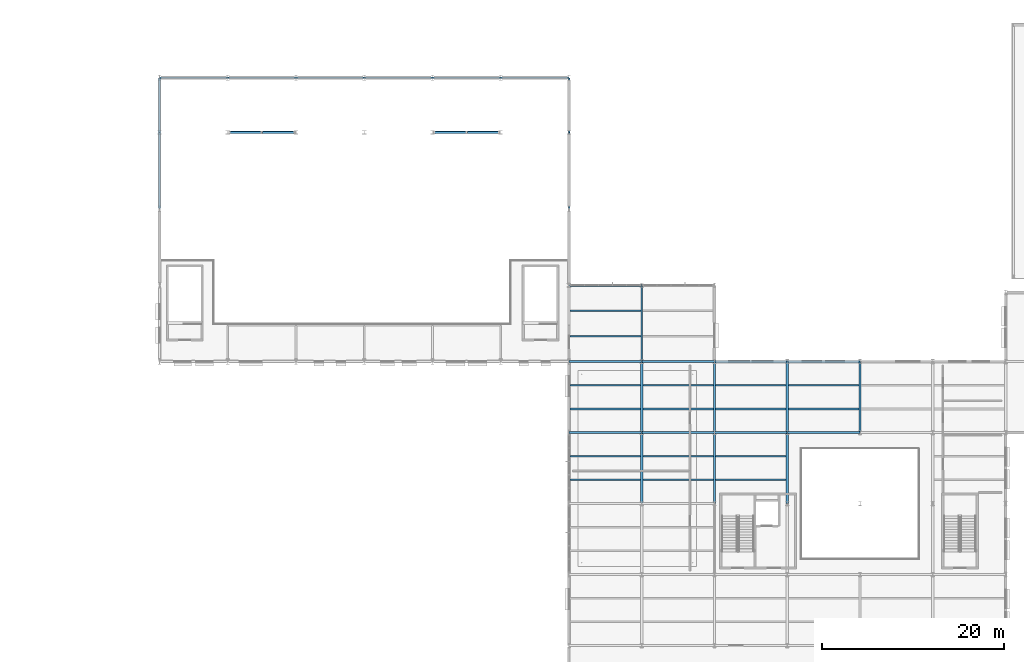
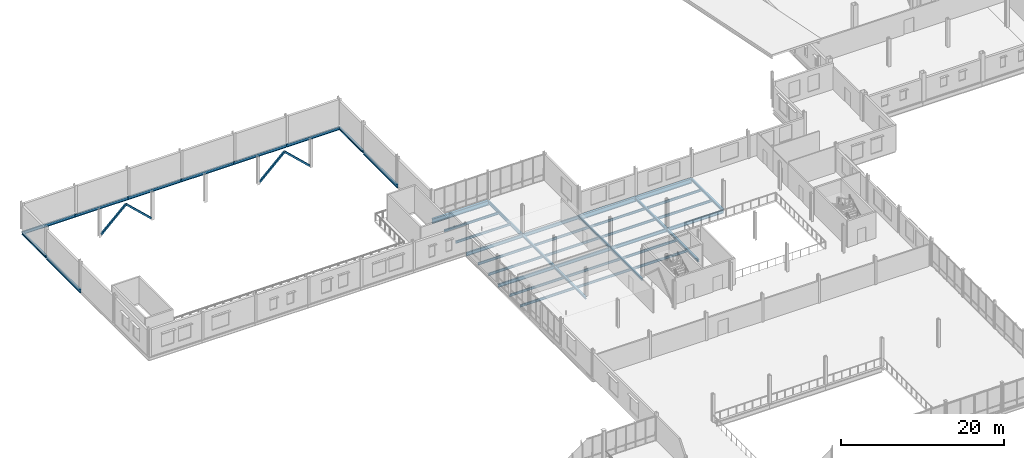
# One storey, part 35 of 75: 43 beams, 4 members.
"""IFC4 building model written with IfcOpenShell, lengths in metres."""

from ifc_helpers import new_model, si_unit, direction, frame, origin, origin_2d, place, context, subcontext, project, spatial, hollow_rectangle, i_section, extrude, material, material_profile, profile_set, type_object, element, save


model = new_model("IFC4")

# Units and contexts
model_context = context("Model", 3, precision=1e-05, world=origin(), true_north=direction((0.0, 1.0)))
body_context = subcontext(model_context, "Body", "Model", "MODEL_VIEW")
ifc_project = project(units=[si_unit("LENGTHUNIT", "METRE"), si_unit("AREAUNIT", "SQUARE_METRE"), si_unit("VOLUMEUNIT", "CUBIC_METRE"), si_unit("PLANEANGLEUNIT", "RADIAN"), si_unit("MASSUNIT", "GRAM", prefix="KILO")], contexts=[model_context])

# Site, building, storey
site_placement = place(None, origin())
site = spatial("IfcSite", under=ifc_project, at=site_placement, CompositionType="ELEMENT")
building_placement = place(site_placement, origin())
building = spatial("IfcBuilding", under=site, at=building_placement, Name="Yukiwa Park Conservatory and Herbarium", CompositionType="ELEMENT")
storey_placement = place(building_placement, frame((0.0, 0.0, 4.800048828125)))
storey = spatial("IfcBuildingStorey", under=building, at=storey_placement, Name="L01", CompositionType="ELEMENT", Elevation=4.800048828125)

# Beams
ifc_material_1 = material(Name="Steel Q355D", Category="steel")
ifc_material_profile_1 = material_profile(ifc_material_1, i_section(OverallWidth=0.25, OverallDepth=0.340087890625, WebThickness=0.009033203125, FlangeThickness=0.013916015625, FilletRadius=0.02001953125, at=origin_2d()), Name="HM 340x250x9x14")
ifc_profile_set_1 = profile_set([ifc_material_profile_1], Name="Steel Q355D")
beam_type_1 = type_object("IfcBeamType", Name="BM-GRD-HM340", PredefinedType="BEAM", material=ifc_profile_set_1)
for number, where, z_axis, x_axis, name in (
    (1, (15.0, 103.2060546875, -0.41015625), (0.0, 1.0, 0.0), (-1.0, 0.0, 0.0), "L01 grid girder Y-110"),
    (2, (60.0, 103.2060546875, -0.41015625), (0.0, 1.0, 0.0), (-1.0, 0.0, 0.0), "L01 grid girder Y-126"),
):
    element("IfcBeam", number, at=place(storey_placement, frame(where, z_axis=z_axis, x_axis=x_axis)), inside=storey, type_object=beam_type_1, Name=name, PredefinedType="BEAM", context=body_context, shape_type="SweptSolid", body=[
        extrude(i_section(OverallWidth=0.25, OverallDepth=0.340087890625, WebThickness=0.009033203125, FlangeThickness=0.013916015625, FilletRadius=0.02001953125, at=origin_2d()), origin(), (0.0, 0.0, 1.0), 5.988037109375),
    ])
beam_1_placement = place(storey_placement, frame((68.0, 62.406005859375, -0.41015625), z_axis=(0.0, 1.0, 0.0), x_axis=(-1.0, 0.0, 0.0)))
element("IfcBeam", 3, at=beam_1_placement, inside=storey, type_object=beam_type_1, Name="L01 grid girder Y-129", PredefinedType="BEAM", context=body_context, shape_type="SweptSolid", body=[
    extrude(i_section(OverallWidth=0.25, OverallDepth=0.340087890625, WebThickness=0.009033203125, FlangeThickness=0.013916015625, FilletRadius=0.02001953125, at=origin_2d()), origin(), (0.0, 0.0, 1.0), 7.7880859375),
])
beam_2_placement = place(storey_placement, frame((68.0, 70.2060546875, -0.41015625), z_axis=(0.0, 1.0, 0.0), x_axis=(-1.0, 0.0, 0.0)))
element("IfcBeam", 4, at=beam_2_placement, inside=storey, type_object=beam_type_1, Name="L01 grid girder Y-130", PredefinedType="BEAM", context=body_context, shape_type="SweptSolid", body=[
    extrude(i_section(OverallWidth=0.25, OverallDepth=0.340087890625, WebThickness=0.009033203125, FlangeThickness=0.013916015625, FilletRadius=0.02001953125, at=origin_2d()), origin(), (0.0, 0.0, 1.0), 7.787841796875),
])
beam_3_placement = place(storey_placement, frame((76.0, 62.406005859375, -0.41015625), z_axis=(0.0, 1.0, 0.0), x_axis=(-1.0, 0.0, 0.0)))
element("IfcBeam", 5, at=beam_3_placement, inside=storey, type_object=beam_type_1, Name="L01 grid girder Y-134", PredefinedType="BEAM", context=body_context, shape_type="SweptSolid", body=[
    extrude(i_section(OverallWidth=0.25, OverallDepth=0.340087890625, WebThickness=0.009033203125, FlangeThickness=0.013916015625, FilletRadius=0.02001953125, at=origin_2d()), origin(), (0.0, 0.0, 1.0), 7.7880859375),
])
beam_4_placement = place(storey_placement, frame((76.0, 70.2060546875, -0.41015625), z_axis=(0.0, 1.0, 0.0), x_axis=(-1.0, 0.0, 0.0)))
element("IfcBeam", 6, at=beam_4_placement, inside=storey, type_object=beam_type_1, Name="L01 grid girder Y-135", PredefinedType="BEAM", context=body_context, shape_type="SweptSolid", body=[
    extrude(i_section(OverallWidth=0.25, OverallDepth=0.340087890625, WebThickness=0.009033203125, FlangeThickness=0.013916015625, FilletRadius=0.02001953125, at=origin_2d()), origin(), (0.0, 0.0, 1.0), 7.787841796875),
])
beam_5_placement = place(storey_placement, frame((84.0, 62.406005859375, -0.41015625), z_axis=(0.0, 1.0, 0.0), x_axis=(-1.0, 0.0, 0.0)))
element("IfcBeam", 7, at=beam_5_placement, inside=storey, type_object=beam_type_1, Name="L01 grid girder Y-139", PredefinedType="BEAM", context=body_context, shape_type="SweptSolid", body=[
    extrude(i_section(OverallWidth=0.25, OverallDepth=0.340087890625, WebThickness=0.009033203125, FlangeThickness=0.013916015625, FilletRadius=0.02001953125, at=origin_2d()), origin(), (0.0, 0.0, 1.0), 7.7880859375),
])
for number, where, z_axis, x_axis, name in (
    (8, (84.0, 70.2060546875, -0.41015625), (0.0, 1.0, 0.0), (-1.0, 0.0, 0.0), "L01 grid girder Y-140"),
    (9, (92.0, 70.2060546875, -0.41015625), (0.0, 1.0, 0.0), (-1.0, 0.0, 0.0), "L01 grid girder Y-142"),
):
    element("IfcBeam", number, at=place(storey_placement, frame(where, z_axis=z_axis, x_axis=x_axis)), inside=storey, type_object=beam_type_1, Name=name, PredefinedType="BEAM", context=body_context, shape_type="SweptSolid", body=[
        extrude(i_section(OverallWidth=0.25, OverallDepth=0.340087890625, WebThickness=0.009033203125, FlangeThickness=0.013916015625, FilletRadius=0.02001953125, at=origin_2d()), origin(), (0.0, 0.0, 1.0), 7.787841796875),
    ])
ifc_material_2 = material(Name="Steel Q355D", Category="steel")
ifc_material_profile_2 = material_profile(ifc_material_2, i_section(OverallWidth=0.199951171875, OverallDepth=0.449951171875, WebThickness=0.009033203125, FlangeThickness=0.013916015625, FilletRadius=0.01806640625, at=origin_2d()), Name="HN 450x200x9x14")
ifc_profile_set_2 = profile_set([ifc_material_profile_2], Name="Steel Q355D")
beam_type_2 = type_object("IfcBeamType", Name="BM-GRD-HN450", PredefinedType="BEAM", material=ifc_profile_set_2)
for number, where, z_axis, x_axis, name in (
    (10, (15.006103515625, 109.199951171875, -0.465087890625), (1.0, 0.0, 0.0), (0.0, 1.0, 0.0), "L01 grid beam X-91"),
    (11, (22.506103515625, 109.199951171875, -0.465087890625), (1.0, 0.0, 0.0), (0.0, 1.0, 0.0), "L01 grid beam X-92"),
    (12, (30.006103515625, 109.199951171875, -0.465087890625), (1.0, 0.0, 0.0), (0.0, 1.0, 0.0), "L01 grid beam X-93"),
    (13, (37.506103515625, 109.199951171875, -0.465087890625), (1.0, 0.0, 0.0), (0.0, 1.0, 0.0), "L01 grid beam X-94"),
    (14, (45.006103515625, 109.199951171875, -0.465087890625), (1.0, 0.0, 0.0), (0.0, 1.0, 0.0), "L01 grid beam X-95"),
    (15, (52.506103515625, 109.199951171875, -0.465087890625), (1.0, 0.0, 0.0), (0.0, 1.0, 0.0), "L01 grid beam X-96"),
):
    element("IfcBeam", number, at=place(storey_placement, frame(where, z_axis=z_axis, x_axis=x_axis)), inside=storey, type_object=beam_type_2, Name=name, PredefinedType="BEAM", context=body_context, shape_type="SweptSolid", body=[
        extrude(i_section(OverallWidth=0.199951171875, OverallDepth=0.449951171875, WebThickness=0.009033203125, FlangeThickness=0.013916015625, FilletRadius=0.01806640625, at=origin_2d()), origin(), (0.0, 0.0, 1.0), 7.48779296875),
    ])
ifc_material_3 = material(Name="Steel Q355D", Category="steel")
ifc_material_profile_3 = material_profile(ifc_material_3, i_section(OverallWidth=0.199951171875, OverallDepth=0.5, WebThickness=0.010009765625, FlangeThickness=0.01611328125, FilletRadius=0.02001953125, at=origin_2d()), Name="HN 500x200x10x16")
ifc_profile_set_3 = profile_set([ifc_material_profile_3], Name="Steel Q355D")
beam_type_3 = type_object("IfcBeamType", Name="BM-GRD-HN500", PredefinedType="BEAM", material=ifc_profile_set_3)
for number, where, z_axis, x_axis, name in (
    (16, (60.006103515625, 70.199951171875, -0.489990234375), (1.0, 0.0, 0.0), (0.0, 1.0, 0.0), "L01 grid beam X-46"),
    (17, (68.006103515625, 70.199951171875, -0.489990234375), (1.0, 0.0, 0.0), (0.0, 1.0, 0.0), "L01 grid beam X-47"),
    (18, (76.006103515625, 70.199951171875, -0.489990234375), (1.0, 0.0, 0.0), (0.0, 1.0, 0.0), "L01 grid beam X-48"),
    (19, (84.006103515625, 70.199951171875, -0.489990234375), (1.0, 0.0, 0.0), (0.0, 1.0, 0.0), "L01 grid beam X-49"),
    (20, (60.006103515625, 78.0, -0.489990234375), (1.0, 0.0, 0.0), (0.0, 1.0, 0.0), "L01 grid beam X-58"),
    (21, (68.006103515625, 78.0, -0.489990234375), (1.0, 0.0, 0.0), (0.0, 1.0, 0.0), "L01 grid beam X-59"),
):
    element("IfcBeam", number, at=place(storey_placement, frame(where, z_axis=z_axis, x_axis=x_axis)), inside=storey, type_object=beam_type_3, Name=name, PredefinedType="BEAM", context=body_context, shape_type="SweptSolid", body=[
        extrude(i_section(OverallWidth=0.199951171875, OverallDepth=0.5, WebThickness=0.010009765625, FlangeThickness=0.01611328125, FilletRadius=0.02001953125, at=origin_2d()), origin(), (0.0, 0.0, 1.0), 7.98779296875),
    ])
for number, where, z_axis, x_axis, name in (
    (22, (15.0, 94.805908203125, -0.489990234375), (0.0, 1.0, 0.0), (-1.0, 0.0, 0.0), "L01 grid girder Y-109"),
    (23, (60.0, 94.805908203125, -0.489990234375), (0.0, 1.0, 0.0), (-1.0, 0.0, 0.0), "L01 grid girder Y-125"),
):
    element("IfcBeam", number, at=place(storey_placement, frame(where, z_axis=z_axis, x_axis=x_axis)), inside=storey, type_object=beam_type_3, Name=name, PredefinedType="BEAM", context=body_context, shape_type="SweptSolid", body=[
        extrude(i_section(OverallWidth=0.199951171875, OverallDepth=0.5, WebThickness=0.010009765625, FlangeThickness=0.01611328125, FilletRadius=0.02001953125, at=origin_2d()), origin(), (0.0, 0.0, 1.0), 8.38818359375),
    ])
beam_6_placement = place(storey_placement, frame((68.0, 78.006103515625, -0.489990234375), z_axis=(0.0, 1.0, 0.0), x_axis=(-1.0, 0.0, 0.0)))
element("IfcBeam", 24, at=beam_6_placement, inside=storey, type_object=beam_type_3, Name="L01 grid girder Y-131", PredefinedType="BEAM", context=body_context, shape_type="SweptSolid", body=[
    extrude(i_section(OverallWidth=0.199951171875, OverallDepth=0.5, WebThickness=0.010009765625, FlangeThickness=0.01611328125, FilletRadius=0.02001953125, at=origin_2d()), origin(), (0.0, 0.0, 1.0), 8.387939453125),
])
ifc_material_4 = material(Name="Steel Q355D", Category="steel")
ifc_material_profile_4 = material_profile(ifc_material_4, i_section(OverallWidth=0.175048828125, OverallDepth=0.35009765625, WebThickness=0.007080078125, FlangeThickness=0.010986328125, FilletRadius=0.013916015625, at=origin_2d()), Name="HN 350x175x7x11")
ifc_profile_set_4 = profile_set([ifc_material_profile_4], Name="Steel Q355D")
beam_type_4 = type_object("IfcBeamType", Name="BM-JST-HN350", PredefinedType="JOIST", material=ifc_profile_set_4)
for number, where, z_axis, x_axis, name in (
    (25, (60.14599609375, 65.0, -0.4150390625), (1.0, 0.0, 0.0), (0.0, 1.0, 0.0), "L01 composite floor joist 11"),
    (26, (60.14599609375, 67.60009765625, -0.4150390625), (1.0, 0.0, 0.0), (0.0, 1.0, 0.0), "L01 composite floor joist 12"),
    (27, (60.14599609375, 72.800048828125, -0.4150390625), (1.0, 0.0, 0.0), (0.0, 1.0, 0.0), "L01 composite floor joist 13"),
    (28, (60.14599609375, 75.39990234375, -0.4150390625), (1.0, 0.0, 0.0), (0.0, 1.0, 0.0), "L01 composite floor joist 14"),
):
    element("IfcBeam", number, at=place(storey_placement, frame(where, z_axis=z_axis, x_axis=x_axis)), inside=storey, type_object=beam_type_4, Name=name, PredefinedType="JOIST", context=body_context, shape_type="SweptSolid", body=[
        extrude(i_section(OverallWidth=0.175048828125, OverallDepth=0.35009765625, WebThickness=0.007080078125, FlangeThickness=0.010986328125, FilletRadius=0.013916015625, at=origin_2d()), origin(), (0.0, 0.0, 1.0), 7.73291015625),
    ])
for number, where, z_axis, x_axis, name in (
    (29, (60.095947265625, 80.800048828125, -0.4150390625), (1.0, 0.0, 0.0), (0.0, 1.0, 0.0), "L01 composite floor joist 15"),
    (30, (60.095947265625, 83.60009765625, -0.4150390625), (1.0, 0.0, 0.0), (0.0, 1.0, 0.0), "L01 composite floor joist 16"),
):
    element("IfcBeam", number, at=place(storey_placement, frame(where, z_axis=z_axis, x_axis=x_axis)), inside=storey, type_object=beam_type_4, Name=name, PredefinedType="JOIST", context=body_context, shape_type="SweptSolid", body=[
        extrude(i_section(OverallWidth=0.175048828125, OverallDepth=0.35009765625, WebThickness=0.007080078125, FlangeThickness=0.010986328125, FilletRadius=0.013916015625, at=origin_2d()), origin(), (0.0, 0.0, 1.0), 7.80810546875),
    ])
for number, where, z_axis, x_axis, name in (
    (31, (68.12109375, 65.0, -0.4150390625), (1.0, 0.0, 0.0), (0.0, 1.0, 0.0), "L01 composite floor joist 21"),
    (32, (68.12109375, 67.60009765625, -0.4150390625), (1.0, 0.0, 0.0), (0.0, 1.0, 0.0), "L01 composite floor joist 22"),
    (33, (68.12109375, 72.800048828125, -0.4150390625), (1.0, 0.0, 0.0), (0.0, 1.0, 0.0), "L01 composite floor joist 23"),
    (34, (68.12109375, 75.39990234375, -0.4150390625), (1.0, 0.0, 0.0), (0.0, 1.0, 0.0), "L01 composite floor joist 24"),
    (35, (76.12109375, 65.0, -0.4150390625), (1.0, 0.0, 0.0), (0.0, 1.0, 0.0), "L01 composite floor joist 29"),
    (36, (76.12109375, 67.60009765625, -0.4150390625), (1.0, 0.0, 0.0), (0.0, 1.0, 0.0), "L01 composite floor joist 30"),
    (37, (76.12109375, 72.800048828125, -0.4150390625), (1.0, 0.0, 0.0), (0.0, 1.0, 0.0), "L01 composite floor joist 31"),
    (38, (76.12109375, 75.39990234375, -0.4150390625), (1.0, 0.0, 0.0), (0.0, 1.0, 0.0), "L01 composite floor joist 32"),
    (39, (84.12109375, 72.800048828125, -0.4150390625), (1.0, 0.0, 0.0), (0.0, 1.0, 0.0), "L01 composite floor joist 35"),
    (40, (84.12109375, 75.39990234375, -0.4150390625), (1.0, 0.0, 0.0), (0.0, 1.0, 0.0), "L01 composite floor joist 36"),
):
    element("IfcBeam", number, at=place(storey_placement, frame(where, z_axis=z_axis, x_axis=x_axis)), inside=storey, type_object=beam_type_4, Name=name, PredefinedType="JOIST", context=body_context, shape_type="SweptSolid", body=[
        extrude(i_section(OverallWidth=0.175048828125, OverallDepth=0.35009765625, WebThickness=0.007080078125, FlangeThickness=0.010986328125, FilletRadius=0.013916015625, at=origin_2d()), origin(), (0.0, 0.0, 1.0), 7.7578125),
    ])
ifc_material_5 = material(Name="Steel Q355D", Category="steel")
ifc_material_profile_5 = material_profile(ifc_material_5, i_section(OverallWidth=0.300048828125, OverallDepth=0.69189453125, WebThickness=0.012939453125, FlangeThickness=0.02001953125, FilletRadius=0.028076171875, at=origin_2d()), Name="HN 692x300x13x20")
ifc_profile_set_5 = profile_set([ifc_material_profile_5], Name="Steel Q355D")
beam_type_5 = type_object("IfcBeamType", Name="BM-SPN-HN550", PredefinedType="SPANDREL", material=ifc_profile_set_5)
for number, where, z_axis, x_axis, name in (
    (41, (76.006103515625, 78.0, -0.5859375), (1.0, 0.0, 0.0), (0.0, 1.0, 0.0), "L01 spandrel beam X-60"),
    (42, (84.006103515625, 78.0, -0.5859375), (1.0, 0.0, 0.0), (0.0, 1.0, 0.0), "L01 spandrel beam X-61"),
    (43, (60.006103515625, 86.39990234375, -0.5859375), (1.0, 0.0, 0.0), (0.0, 1.0, 0.0), "L01 spandrel beam X-71"),
):
    element("IfcBeam", number, at=place(storey_placement, frame(where, z_axis=z_axis, x_axis=x_axis)), inside=storey, type_object=beam_type_5, Name=name, PredefinedType="SPANDREL", context=body_context, shape_type="SweptSolid", body=[
        extrude(i_section(OverallWidth=0.300048828125, OverallDepth=0.69189453125, WebThickness=0.012939453125, FlangeThickness=0.02001953125, FilletRadius=0.028076171875, at=origin_2d()), origin(), (0.0, 0.0, 1.0), 7.98779296875),
    ])

# Members
ifc_material_6 = material(Name="Steel Q355D", Category="steel")
ifc_material_profile_6 = material_profile(ifc_material_6, hollow_rectangle(XDim=0.25, YDim=0.25, WallThickness=0.010009765625, InnerFilletRadius=0.010009765625, OuterFilletRadius=0.02001953125, at=origin_2d()), Name="SHS 250x250x10")
ifc_profile_set_6 = profile_set([ifc_material_profile_6], Name="Steel Q355D")
member_type = type_object("IfcMemberType", Name="MB-BR-SHS250", PredefinedType="BRACE", material=ifc_profile_set_6)
for number, where, z_axis, x_axis, name in (
    (44, (22.698486328125, 103.199951171875, 0.236572265625), (0.728132393582, 0.0, 0.685436515963), (0.0, 1.0, 0.0), "L01 concentric chevron brace 13"),
    (45, (29.801513671875, 103.199951171875, 0.236572265625), (-0.728132393582, 0.0, 0.685436515963), (0.0, -1.0, 0.0), "L01 concentric chevron brace 14"),
    (46, (45.198486328125, 103.199951171875, 0.236572265625), (0.728132393582, 0.0, 0.685436515963), (0.0, 1.0, 0.0), "L01 concentric chevron brace 15"),
    (47, (52.301513671875, 103.199951171875, 0.236572265625), (-0.728132393582, 0.0, 0.685436515963), (0.0, -1.0, 0.0), "L01 concentric chevron brace 16"),
):
    element("IfcMember", number, at=place(storey_placement, frame(where, z_axis=z_axis, x_axis=x_axis)), inside=storey, type_object=member_type, Name=name, PredefinedType="BRACE", context=body_context, shape_type="SweptSolid", body=[
        extrude(hollow_rectangle(XDim=0.25, YDim=0.25, WallThickness=0.010009765625, InnerFilletRadius=0.010009765625, OuterFilletRadius=0.02001953125, at=origin_2d()), origin(), (0.0, 0.0, 1.0), 4.877685546875),
    ])

save(model, "model.ifc")
